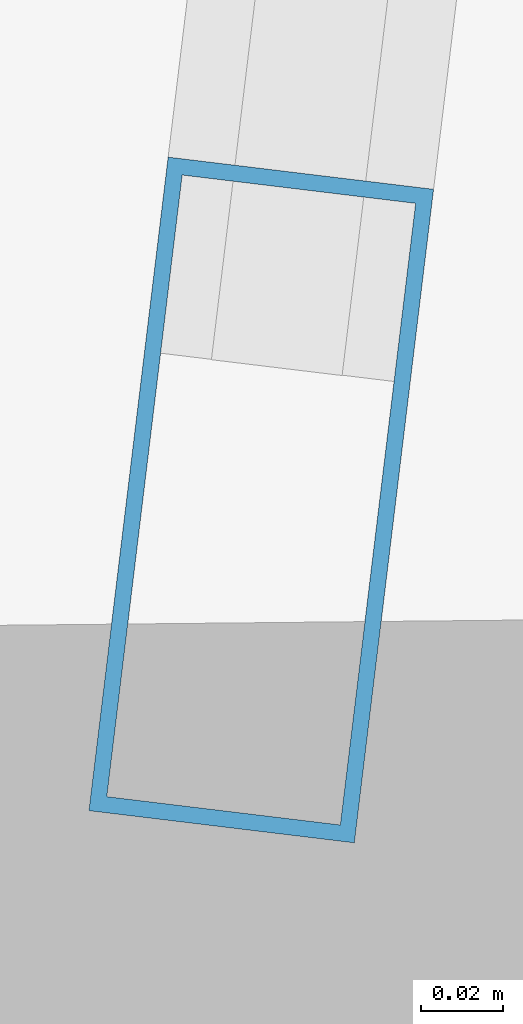
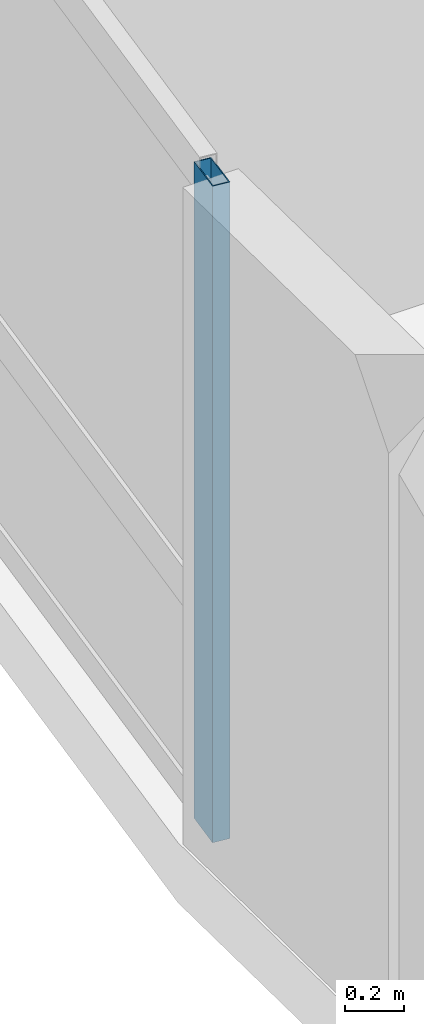
# One storey, part 2 of 25: 1 member, 1 element without a shape of its own.
"""IFC4 building model written with IfcOpenShell, lengths in metres."""

from ifc_helpers import new_model, si_unit, direction, frame, origin, origin_2d, place, context, subcontext, project, spatial, hollow_rectangle, extrude, material, layer, layer_set, material_profile, profile_set, type_object, element, aggregate, save


model = new_model("IFC4")

# Units and contexts
model_context = context("Model", 3, precision=1e-05, world=origin(), true_north=direction((0.0, 1.0)))
body_context = subcontext(model_context, "Body", "Model", "MODEL_VIEW")
ifc_project = project(units=[si_unit("LENGTHUNIT", "METRE"), si_unit("AREAUNIT", "SQUARE_METRE"), si_unit("VOLUMEUNIT", "CUBIC_METRE"), si_unit("PLANEANGLEUNIT", "RADIAN"), si_unit("MASSUNIT", "GRAM", prefix="KILO")], contexts=[model_context])

# Site, building, storey
site_placement = place(None, origin())
site = spatial("IfcSite", under=ifc_project, at=site_placement, CompositionType="ELEMENT")
building_placement = place(site_placement, origin())
building = spatial("IfcBuilding", under=site, at=building_placement, Name="Varnelok Gate Tower", CompositionType="ELEMENT")
storey_placement = place(building_placement, frame((0.0, 0.0, 132.800048828125)))
storey = spatial("IfcBuildingStorey", under=building, at=storey_placement, Name="L33", CompositionType="ELEMENT", Elevation=132.800048828125)

# Curtain wall, member
ifc_material = material(Name="Anodized Aluminum Alloy 6063-T6", Category="aluminium")
ifc_layer = layer(ifc_material, 0.179931640625)
ifc_layer_set = layer_set([ifc_layer], Name="Anodized Aluminum Alloy 6063-T6")
curtain_wall_type = type_object("IfcCurtainWallType", Name="CW3-HOTEL-VISION", PredefinedType="USERDEFINED", material=ifc_layer_set)
curtain_wall_placement = place(storey_placement, origin())
curtain_wall = element("IfcCurtainWall", 1, at=curtain_wall_placement, inside=storey, type_object=curtain_wall_type, Name="L33 West End Vision Curtain Wall", ObjectType="UNITISED CURTAIN WALL", PredefinedType="USERDEFINED")
ifc_material_profile = material_profile(ifc_material, hollow_rectangle(XDim=0.06494140625, YDim=0.159912109375, WallThickness=0.00390625, at=origin_2d()), Name="ALU160X65X4")
ifc_profile_set = profile_set([ifc_material_profile], Name="Anodized Aluminum Alloy 6063-T6")
member_type = type_object("IfcMemberType", Name="CW-MULL-160", PredefinedType="MULLION", material=ifc_profile_set)
member_placement = place(storey_placement, frame((0.2470703125, 11.923095703125, 0.0), z_axis=(0.0, 0.0, 1.0), x_axis=(-0.99273188146, 0.120347046212, 0.0)))
member = element("IfcMember", 2, at=member_placement, type_object=member_type, Name="CW3 mullion 1", PredefinedType="MULLION", context=body_context, shape_type="SweptSolid", body=[
    extrude(hollow_rectangle(XDim=0.06494140625, YDim=0.159912109375, WallThickness=0.00390625, at=origin_2d()), origin(), (0.0, 0.0, 1.0), 2.72998046875),
])
aggregate(curtain_wall, [member])

save(model, "model.ifc")
